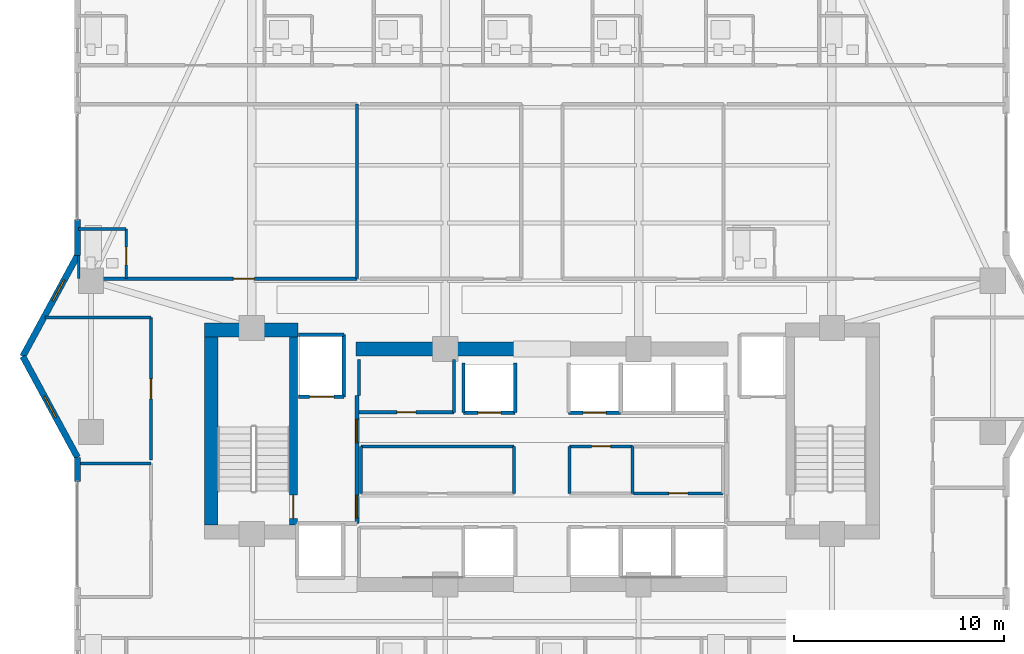
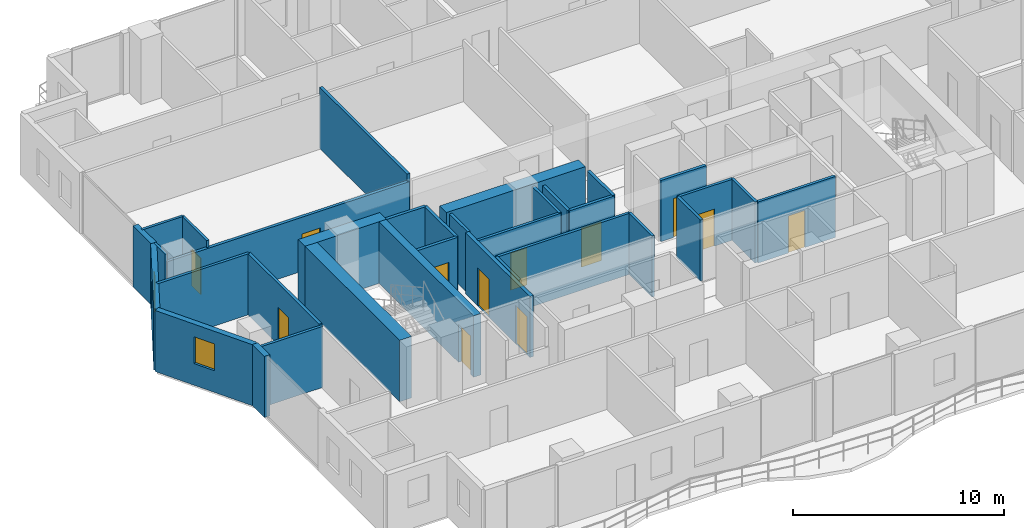
# One storey, part 25 of 33: 34 walls, 12 doors, 2 windows, 14 openings.
"""IFC4 building model written with IfcOpenShell, lengths in metres."""

from ifc_helpers import new_model, si_unit, direction, frame, frame_2d, origin, place, context, subcontext, project, spatial, rectangle, extrude, material, layer, layer_set, type_object, element, fill, save


model = new_model("IFC4")

# Units and contexts
model_context = context("Model", 3, precision=1e-05, world=origin(), true_north=direction((0.0, 1.0)))
body_context = subcontext(model_context, "Body", "Model", "MODEL_VIEW")
ifc_project = project(units=[si_unit("LENGTHUNIT", "METRE"), si_unit("AREAUNIT", "SQUARE_METRE"), si_unit("VOLUMEUNIT", "CUBIC_METRE"), si_unit("PLANEANGLEUNIT", "RADIAN"), si_unit("MASSUNIT", "GRAM", prefix="KILO")], contexts=[model_context])

# Site, building, storey
site_placement = place(None, origin())
site = spatial("IfcSite", under=ifc_project, at=site_placement, CompositionType="ELEMENT")
building_placement = place(site_placement, origin())
building = spatial("IfcBuilding", under=site, at=building_placement, Name="Zuhayl Quay Hotel", CompositionType="ELEMENT")
storey_placement = place(building_placement, frame((0.0, 0.0, 199.89990234375)))
storey = spatial("IfcBuildingStorey", under=building, at=storey_placement, Name="L50", CompositionType="ELEMENT", Elevation=199.89990234375)

# Walls
ifc_material_1 = material(Name="Concrete C50/60", Category="concrete")
ifc_layer_1 = layer(ifc_material_1, 0.64990234375, Name="Concrete C50/60", Category="concrete")
ifc_layer_set_1 = layer_set([ifc_layer_1], Name="Concrete C50/60")
wall_type_1 = type_object("IfcWallType", Name="WL_CORE_650", PredefinedType="SHEAR", material=ifc_layer_set_1)
wall_1_placement = place(storey_placement, frame((-16.06005859375, 14.2548828125, 0.0), z_axis=(0.0, 0.0, 1.0), x_axis=(1.0, 0.0, 0.0)))
element("IfcWall", 1, at=wall_1_placement, inside=storey, type_object=wall_type_1, Name="L50 Core Shear Wall CW_NW", PredefinedType="SHEAR", context=body_context, shape_type="SweptSolid", body=[
    extrude(rectangle(XDim=4.4599609375, YDim=0.64990234375, at=frame_2d((2.22998046875, 0.0))), origin(), (0.0, 0.0, 1.0), 3.56005859375),
])
wall_2_placement = place(storey_placement, frame((-15.735107421875, 4.969970703125, 0.0), z_axis=(0.0, 0.0, 1.0), x_axis=(0.0, 1.0, 0.0)))
element("IfcWall", 2, at=wall_2_placement, inside=storey, type_object=wall_type_1, Name="L50 Core Shear Wall CW_W", PredefinedType="SHEAR", context=body_context, shape_type="SweptSolid", body=[
    extrude(rectangle(XDim=8.9599609375, YDim=0.64990234375, at=frame_2d((4.47998046875, 0.0))), origin(), (0.0, 0.0, 1.0), 3.56005859375),
])
wall_3_placement = place(storey_placement, frame((-8.85009765625, 13.35009765625, 0.0), z_axis=(0.0, 0.0, 1.0), x_axis=(1.0, 0.0, 0.0)))
element("IfcWall", 3, at=wall_3_placement, inside=storey, type_object=wall_type_1, Name="L50 Core Shear Wall CW_NC_W", PredefinedType="SHEAR", context=body_context, shape_type="SweptSolid", body=[
    extrude(rectangle(XDim=7.60009765625, YDim=0.64990234375, at=frame_2d((3.800048828125, 0.0))), origin(), (0.0, 0.0, 1.0), 3.530029296875),
])
ifc_material_2 = material(Name="Precast concrete C45/55", Category="concrete")
ifc_layer_2 = layer(ifc_material_2, 0.300048828125, Name="Precast concrete C45/55", Category="concrete")
ifc_layer_set_2 = layer_set([ifc_layer_2], Name="Precast concrete C45/55")
wall_type_2 = type_object("IfcWallType", Name="WL_EXT_300", PredefinedType="STANDARD", material=ifc_layer_set_2)
wall_4_placement = place(storey_placement, frame((-22.10009765625, 7.050048828125, 0.0), z_axis=(0.0, 0.0, 1.0), x_axis=(0.0, 1.0, 0.0)))
element("IfcWall", 4, at=wall_4_placement, inside=storey, type_object=wall_type_2, Name="L50 Exterior Precast Wall ENV_L50_E02_EW2", PredefinedType="STANDARD", context=body_context, shape_type="SweptSolid", body=[
    extrude(rectangle(XDim=1.14990234375, YDim=0.300048828125, at=frame_2d((0.574951171875, 0.0))), origin(), (0.0, 0.0, 1.0), 3.530029296875),
])

# Wall, opening, window
wall_5_placement = place(storey_placement, frame((-22.10009765625, 8.199951171875, 0.0), z_axis=(0.0, 0.0, 1.0), x_axis=(-0.476258655584, 0.879305233114, 0.0)))
wall_5 = element("IfcWall", 5, at=wall_5_placement, inside=storey, type_object=wall_type_2, Name="L50 Exterior Precast Wall ENV_L50_EW03", PredefinedType="STANDARD", context=body_context, shape_type="SweptSolid", body=[
    extrude(rectangle(XDim=5.458984375, YDim=0.300048828125, at=frame_2d((2.7294921875, 0.0))), origin(), (0.0, 0.0, 1.0), 3.530029296875),
])
opening_1_placement = place(wall_5_placement, frame((2.154541015625, 0.0, 1.25)))
opening_1 = element("IfcOpeningElement", 6, at=opening_1_placement, cuts=wall_5, Name="Opening W01N", PredefinedType="OPENING", context=body_context, shape_type="SweptSolid", body=[
    extrude(rectangle(XDim=1.14990234375, YDim=1.550048828125, at=frame_2d((0.574951171875, 0.77490234375))), frame((0.0, 0.159912109375, 0.0), z_axis=(0.0, -1.0, 0.0), x_axis=(1.0, 0.0, 0.0)), (0.0, 0.0, 1.0), 0.320068359375),
])
ifc_material_3 = material(Name="Dark Ceramic-Fritted Solar Glass", Category="glass")
window_type = type_object("IfcWindowType", Name="WN_NOTCH_1350", PartitioningType="SINGLE_PANEL", PredefinedType="WINDOW", material=ifc_material_3)
window_1_placement = place(opening_1_placement, origin())
window_1 = element("IfcWindow", 7, at=window_1_placement, inside=storey, type_object=window_type, Name="L50 Corner Notch Window 3", OverallHeight=1.550048828125, OverallWidth=1.14990234375, PartitioningType="SINGLE_PANEL", PredefinedType="WINDOW", context=body_context, shape_type="SweptSolid", body=[
    extrude(rectangle(XDim=1.14990234375, YDim=1.550048828125, at=frame_2d((0.574951171875, 0.77490234375))), frame((0.0, 0.030029296875, 0.0), z_axis=(0.0, -1.0, 0.0), x_axis=(1.0, 0.0, 0.0)), (0.0, 0.0, 1.0), 0.06005859375),
])
fill(opening_1, window_1)

wall_6_placement = place(storey_placement, frame((-24.699951171875, 13.0, 0.0), z_axis=(0.0, 0.0, 1.0), x_axis=(0.476258655584, 0.879305233114, 0.0)))
wall_6 = element("IfcWall", 8, at=wall_6_placement, inside=storey, type_object=wall_type_2, Name="L50 Exterior Precast Wall ENV_L50_EW04", PredefinedType="STANDARD", context=body_context, shape_type="SweptSolid", body=[
    extrude(rectangle(XDim=5.458984375, YDim=0.300048828125, at=frame_2d((2.7294921875, 0.0))), origin(), (0.0, 0.0, 1.0), 3.530029296875),
])
opening_2_placement = place(wall_6_placement, frame((2.9931640625, 0.0, 1.25)))
opening_2 = element("IfcOpeningElement", 9, at=opening_2_placement, cuts=wall_6, Name="Opening W01N", PredefinedType="OPENING", context=body_context, shape_type="SweptSolid", body=[
    extrude(rectangle(XDim=1.14990234375, YDim=1.550048828125, at=frame_2d((0.574951171875, 0.77490234375))), frame((0.0, 0.159912109375, 0.0), z_axis=(0.0, -1.0, 0.0), x_axis=(1.0, 0.0, 0.0)), (0.0, 0.0, 1.0), 0.320068359375),
])
window_2_placement = place(opening_2_placement, origin())
window_2 = element("IfcWindow", 10, at=window_2_placement, inside=storey, type_object=window_type, Name="L50 Corner Notch Window 4", OverallHeight=1.550048828125, OverallWidth=1.14990234375, PartitioningType="SINGLE_PANEL", PredefinedType="WINDOW", context=body_context, shape_type="SweptSolid", body=[
    extrude(rectangle(XDim=1.14990234375, YDim=1.550048828125, at=frame_2d((0.574951171875, 0.77490234375))), frame((0.0, 0.030029296875, 0.0), z_axis=(0.0, -1.0, 0.0), x_axis=(1.0, 0.0, 0.0)), (0.0, 0.0, 1.0), 0.06005859375),
])
fill(opening_2, window_2)

# Wall
wall_7_placement = place(storey_placement, frame((-22.10009765625, 17.800048828125, 0.0), z_axis=(0.0, 0.0, 1.0), x_axis=(0.0, 1.0, 0.0)))
element("IfcWall", 11, at=wall_7_placement, inside=storey, type_object=wall_type_2, Name="L50 Exterior Precast Wall ENV_L50_E05_EW1", PredefinedType="STANDARD", context=body_context, shape_type="SweptSolid", body=[
    extrude(rectangle(XDim=1.7099609375, YDim=0.300048828125, at=frame_2d((0.85498046875, 0.0))), origin(), (0.0, 0.0, 1.0), 3.530029296875),
])

# Wall, opening, door
ifc_material_4 = material(Name="Acoustic Gypsum Partition STC-58")
ifc_layer_3 = layer(ifc_material_4, 0.14990234375, Name="Acoustic Gypsum Partition STC-58")
ifc_layer_set_3 = layer_set([ifc_layer_3], Name="Acoustic Gypsum Partition STC-58")
wall_type_3 = type_object("IfcWallType", Name="WL_PART_150", PredefinedType="PARTITIONING", material=ifc_layer_set_3)
wall_8_placement = place(storey_placement, frame((-8.7099609375, 10.340087890625, 0.0), z_axis=(0.0, 0.0, 1.0), x_axis=(1.0, 0.0, 0.0)))
wall_8 = element("IfcWall", 12, at=wall_8_placement, inside=storey, type_object=wall_type_3, Name="L50 Partition IW_L50_FLP_N_S", PredefinedType="PARTITIONING", context=body_context, shape_type="SweptSolid", body=[
    extrude(rectangle(XDim=4.52001953125, YDim=0.14990234375, at=frame_2d((2.260009765625, 0.0))), origin(), (0.0, 0.0, 1.0), 3.530029296875),
])
opening_3_placement = place(wall_8_placement, frame((1.81005859375, 0.0, 0.0)))
opening_3 = element("IfcOpeningElement", 13, at=opening_3_placement, cuts=wall_8, Name="Opening D06", PredefinedType="OPENING", context=body_context, shape_type="SweptSolid", body=[
    extrude(rectangle(XDim=0.89990234375, YDim=2.14990234375, at=frame_2d((0.449951171875, 1.074951171875))), frame((0.0, 0.0849609375, 0.0), z_axis=(0.0, -1.0, 0.0), x_axis=(1.0, 0.0, 0.0)), (0.0, 0.0, 1.0), 0.169921875),
])
ifc_material_5 = material(Name="Steel ASTM A992 Grade 50", Category="steel")
door_type_1 = type_object("IfcDoorType", Name="DR_INT_900", OperationType="NOTDEFINED", PredefinedType="DOOR", material=ifc_material_5)
door_1_placement = place(opening_3_placement, origin())
door_1 = element("IfcDoor", 14, at=door_1_placement, inside=storey, type_object=door_type_1, Name="L50 Linen Store West Door", OperationType="SINGLE_SWING_LEFT", OverallHeight=2.14990234375, OverallWidth=0.89990234375, PredefinedType="DOOR", context=body_context, shape_type="SweptSolid", body=[
    extrude(rectangle(XDim=0.89990234375, YDim=2.14990234375, at=frame_2d((0.449951171875, 1.074951171875))), frame((0.0, 0.02490234375, 0.0), z_axis=(0.0, -1.0, 0.0), x_axis=(1.0, 0.0, 0.0)), (0.0, 0.0, 1.0), 0.050048828125),
])
fill(opening_3, door_1)

wall_9_placement = place(storey_placement, frame((1.320068359375, 8.719970703125, 0.0), z_axis=(0.0, 0.0, 1.0), x_axis=(1.0, 0.0, 0.0)))
wall_9 = element("IfcWall", 15, at=wall_9_placement, inside=storey, type_object=wall_type_3, Name="L50 Partition IW_L50_CORE_IT_N", PredefinedType="PARTITIONING", context=body_context, shape_type="SweptSolid", body=[
    extrude(rectangle(XDim=2.989990234375, YDim=0.14990234375, at=frame_2d((1.4951171875, 0.0))), origin(), (0.0, 0.0, 1.0), 3.530029296875),
])
opening_4_placement = place(wall_9_placement, frame((1.044921875, 0.0, 0.0)))
opening_4 = element("IfcOpeningElement", 16, at=opening_4_placement, cuts=wall_9, Name="Opening D06", PredefinedType="OPENING", context=body_context, shape_type="SweptSolid", body=[
    extrude(rectangle(XDim=0.89990234375, YDim=2.14990234375, at=frame_2d((0.449951171875, 1.074951171875))), frame((0.0, 0.0849609375, 0.0), z_axis=(0.0, -1.0, 0.0), x_axis=(1.0, 0.0, 0.0)), (0.0, 0.0, 1.0), 0.169921875),
])
door_2_placement = place(opening_4_placement, origin())
door_2 = element("IfcDoor", 17, at=door_2_placement, inside=storey, type_object=door_type_1, Name="L50 Telecom Closet Door", OperationType="SINGLE_SWING_LEFT", OverallHeight=2.14990234375, OverallWidth=0.89990234375, PredefinedType="DOOR", context=body_context, shape_type="SweptSolid", body=[
    extrude(rectangle(XDim=0.89990234375, YDim=2.14990234375, at=frame_2d((0.449951171875, 1.074951171875))), frame((0.0, 0.02490234375, 0.0), z_axis=(0.0, -1.0, 0.0), x_axis=(1.0, 0.0, 0.0)), (0.0, 0.0, 1.0), 0.050048828125),
])
fill(opening_4, door_2)

wall_10_placement = place(storey_placement, frame((4.3701171875, 6.47998046875, 0.0), z_axis=(0.0, 0.0, 1.0), x_axis=(1.0, 0.0, 0.0)))
wall_10 = element("IfcWall", 18, at=wall_10_placement, inside=storey, type_object=wall_type_3, Name="L50 Partition IW_L50_CORE_LN_S", PredefinedType="PARTITIONING", context=body_context, shape_type="SweptSolid", body=[
    extrude(rectangle(XDim=4.239990234375, YDim=0.14990234375, at=frame_2d((2.1201171875, 0.0))), origin(), (0.0, 0.0, 1.0), 3.530029296875),
])
opening_5_placement = place(wall_10_placement, frame((1.669921875, 0.0, 0.0)))
opening_5 = element("IfcOpeningElement", 19, at=opening_5_placement, cuts=wall_10, Name="Opening D06", PredefinedType="OPENING", context=body_context, shape_type="SweptSolid", body=[
    extrude(rectangle(XDim=0.89990234375, YDim=2.14990234375, at=frame_2d((0.449951171875, 1.074951171875))), frame((0.0, 0.0849609375, 0.0), z_axis=(0.0, -1.0, 0.0), x_axis=(1.0, 0.0, 0.0)), (0.0, 0.0, 1.0), 0.169921875),
])
door_3_placement = place(opening_5_placement, origin())
door_3 = element("IfcDoor", 20, at=door_3_placement, inside=storey, type_object=door_type_1, Name="L50 Core Linen Store Door", OperationType="SINGLE_SWING_RIGHT", OverallHeight=2.14990234375, OverallWidth=0.89990234375, PredefinedType="DOOR", context=body_context, shape_type="SweptSolid", body=[
    extrude(rectangle(XDim=0.89990234375, YDim=2.14990234375, at=frame_2d((0.449951171875, 1.074951171875))), frame((0.0, 0.02490234375, 0.0), z_axis=(0.0, -1.0, 0.0), x_axis=(1.0, 0.0, 0.0)), (0.0, 0.0, 1.0), 0.050048828125),
])
fill(opening_5, door_3)

# Walls
wall_11_placement = place(storey_placement, frame((-8.7099609375, 11.14990234375, 0.0), z_axis=(0.0, 0.0, 1.0), x_axis=(0.0, 1.0, 0.0)))
element("IfcWall", 21, at=wall_11_placement, inside=storey, type_object=wall_type_3, Name="L50 Partition IW_L50_FLP_N_W", PredefinedType="PARTITIONING", context=body_context, shape_type="SweptSolid", body=[
    extrude(rectangle(XDim=1.710205078125, YDim=0.14990234375, at=frame_2d((0.85498046875, 0.0))), origin(), (0.0, 0.0, 1.0), 3.530029296875),
])
wall_12_placement = place(storey_placement, frame((-4.18994140625, 10.340087890625, 0.0), z_axis=(0.0, 0.0, 1.0), x_axis=(0.0, 1.0, 0.0)))
element("IfcWall", 22, at=wall_12_placement, inside=storey, type_object=wall_type_3, Name="L50 Partition IW_L50_FLP_N_E", PredefinedType="PARTITIONING", context=body_context, shape_type="SweptSolid", body=[
    extrude(rectangle(XDim=2.52001953125, YDim=0.14990234375, at=frame_2d((1.260009765625, 0.0))), origin(), (0.0, 0.0, 1.0), 3.530029296875),
])
wall_13_placement = place(storey_placement, frame((-8.610107421875, 8.719970703125, 0.0), z_axis=(0.0, 0.0, 1.0), x_axis=(1.0, 0.0, 0.0)))
element("IfcWall", 23, at=wall_13_placement, inside=storey, type_object=wall_type_3, Name="L50 Partition IW_L50_CORE_EL_N", PredefinedType="PARTITIONING", context=body_context, shape_type="SweptSolid", body=[
    extrude(rectangle(XDim=7.2900390625, YDim=0.14990234375, at=frame_2d((3.64501953125, 0.0))), origin(), (0.0, 0.0, 1.0), 3.530029296875),
])
for number, where, z_axis, x_axis, name in (
    (24, (-8.610107421875, 6.47998046875, 0.0), (0.0, 0.0, 1.0), (0.0, 1.0, 0.0), "L50 Partition IW_L50_CORE_EL_W"),
    (25, (-1.320068359375, 6.47998046875, 0.0), (0.0, 0.0, 1.0), (0.0, 1.0, 0.0), "L50 Partition IW_L50_CORE_EL_E"),
    (26, (1.320068359375, 6.47998046875, 0.0), (0.0, 0.0, 1.0), (0.0, 1.0, 0.0), "L50 Partition IW_L50_CORE_IT_W"),
    (27, (4.31005859375, 6.47998046875, 0.0), (0.0, 0.0, 1.0), (0.0, 1.0, 0.0), "L50 Partition IW_L50_CORE_IT_E"),
):
    element("IfcWall", number, at=place(storey_placement, frame(where, z_axis=z_axis, x_axis=x_axis)), inside=storey, type_object=wall_type_3, Name=name, PredefinedType="PARTITIONING", context=body_context, shape_type="SweptSolid", body=[
        extrude(rectangle(XDim=2.239990234375, YDim=0.14990234375, at=frame_2d((1.1201171875, 0.0))), origin(), (0.0, 0.0, 1.0), 3.530029296875),
    ])
wall_14_placement = place(storey_placement, frame((-8.800048828125, 16.699951171875, 0.0), z_axis=(0.0, 0.0, 1.0), x_axis=(0.0, 1.0, 0.0)))
element("IfcWall", 28, at=wall_14_placement, inside=storey, type_object=wall_type_3, Name="L50 Partition IW_L50_MU01_E", PredefinedType="PARTITIONING", context=body_context, shape_type="SweptSolid", body=[
    extrude(rectangle(XDim=8.300048828125, YDim=0.14990234375, at=frame_2d((4.14990234375, 0.0))), origin(), (0.0, 0.0, 1.0), 3.530029296875),
])
wall_15_placement = place(storey_placement, frame((-22.0400390625, 7.89990234375, 0.0), z_axis=(0.0, 0.0, 1.0), x_axis=(1.0, 0.0, 0.0)))
element("IfcWall", 29, at=wall_15_placement, inside=storey, type_object=wall_type_3, Name="L50 Partition IW_L50_WPROW_1_N", PredefinedType="PARTITIONING", context=body_context, shape_type="SweptSolid", body=[
    extrude(rectangle(XDim=3.43994140625, YDim=0.14990234375, at=frame_2d((1.719970703125, 0.0))), origin(), (0.0, 0.0, 1.0), 3.530029296875),
])
wall_16_placement = place(storey_placement, frame((-23.637939453125, 14.85009765625, 0.0), z_axis=(0.0, 0.0, 1.0), x_axis=(1.0, 0.0, 0.0)))
element("IfcWall", 30, at=wall_16_placement, inside=storey, type_object=wall_type_3, Name="L50 Partition IW_L50_WPROW_2_N", PredefinedType="PARTITIONING", context=body_context, shape_type="SweptSolid", body=[
    extrude(rectangle(XDim=5.037841796875, YDim=0.14990234375, at=frame_2d((2.51904296875, 0.0))), origin(), (0.0, 0.0, 1.0), 3.530029296875),
])

# Wall, opening, door
ifc_layer_4 = layer(ifc_material_4, 0.159912109375, Name="Acoustic Gypsum Partition STC-58")
ifc_layer_set_4 = layer_set([ifc_layer_4], Name="Acoustic Gypsum Partition STC-58")
wall_type_4 = type_object("IfcWallType", Name="WL_PART_CORR_160", PredefinedType="PARTITIONING", material=ifc_layer_set_4)
wall_17_placement = place(storey_placement, frame((-22.0400390625, 16.699951171875, 0.0), z_axis=(0.0, 0.0, 1.0), x_axis=(1.0, 0.0, 0.0)))
wall_17 = element("IfcWall", 31, at=wall_17_placement, inside=storey, type_object=wall_type_4, Name="L50 Partition IW_L50_MU01_COR", PredefinedType="PARTITIONING", context=body_context, shape_type="SweptSolid", body=[
    extrude(rectangle(XDim=13.239990234375, YDim=0.159912109375, at=frame_2d((6.6201171875, 0.0))), origin(), (0.0, 0.0, 1.0), 3.1240234375),
])
opening_6_placement = place(wall_17_placement, frame((7.364990234375, 0.0, 0.0)))
opening_6 = element("IfcOpeningElement", 32, at=opening_6_placement, cuts=wall_17, Name="Opening D03L", PredefinedType="OPENING", context=body_context, shape_type="SweptSolid", body=[
    extrude(rectangle(XDim=1.0, YDim=2.14990234375, at=frame_2d((0.5, 1.074951171875))), frame((0.0, 0.08984375, 0.0), z_axis=(0.0, -1.0, 0.0), x_axis=(1.0, 0.0, 0.0)), (0.0, 0.0, 1.0), 0.179931640625),
])
ifc_material_6 = material(Name="Solid Walnut Acoustic Fire Door")
door_type_2 = type_object("IfcDoorType", Name="DR_SUITE_1000", OperationType="NOTDEFINED", PredefinedType="DOOR", material=ifc_material_6)
door_4_placement = place(opening_6_placement, origin())
door_4 = element("IfcDoor", 33, at=door_4_placement, inside=storey, type_object=door_type_2, Name="L50 Club Junior Suite L50-M1 Entrance Door", OperationType="SINGLE_SWING_RIGHT", OverallHeight=2.14990234375, OverallWidth=1.0, PredefinedType="DOOR", context=body_context, shape_type="SweptSolid", body=[
    extrude(rectangle(XDim=1.0, YDim=2.14990234375, at=frame_2d((0.5, 1.074951171875))), frame((0.0, 0.02490234375, 0.0), z_axis=(0.0, -1.0, 0.0), x_axis=(1.0, 0.0, 0.0)), (0.0, 0.0, 1.0), 0.050048828125),
])
fill(opening_6, door_4)

wall_18_placement = place(storey_placement, frame((-18.60009765625, 8.06005859375, 0.0), z_axis=(0.0, 0.0, 1.0), x_axis=(0.0, 1.0, 0.0)))
wall_18 = element("IfcWall", 34, at=wall_18_placement, inside=storey, type_object=wall_type_4, Name="L50 Partition IW_L50_WPROW_2_E", PredefinedType="PARTITIONING", context=body_context, shape_type="SweptSolid", body=[
    extrude(rectangle(XDim=6.7900390625, YDim=0.159912109375, at=frame_2d((3.39501953125, 0.0))), origin(), (0.0, 0.0, 1.0), 3.530029296875),
])
opening_7_placement = place(wall_18_placement, frame((2.919921875, 0.0, 0.0)))
opening_7 = element("IfcOpeningElement", 35, at=opening_7_placement, cuts=wall_18, Name="Opening D03", PredefinedType="OPENING", context=body_context, shape_type="SweptSolid", body=[
    extrude(rectangle(XDim=0.949951171875, YDim=2.14990234375, at=frame_2d((0.47509765625, 1.074951171875))), frame((0.0, 0.08984375, 0.0), z_axis=(0.0, -1.0, 0.0), x_axis=(1.0, 0.0, 0.0)), (0.0, 0.0, 1.0), 0.179931640625),
])
door_type_3 = type_object("IfcDoorType", Name="DR_SUITE_950", OperationType="NOTDEFINED", PredefinedType="DOOR", material=ifc_material_6)
door_5_placement = place(opening_7_placement, origin())
door_5 = element("IfcDoor", 36, at=door_5_placement, inside=storey, type_object=door_type_3, Name="L50 Sunset Lounge L50 Door", OperationType="SINGLE_SWING_LEFT", OverallHeight=2.14990234375, OverallWidth=0.949951171875, PredefinedType="DOOR", context=body_context, shape_type="SweptSolid", body=[
    extrude(rectangle(XDim=0.949951171875, YDim=2.14990234375, at=frame_2d((0.47509765625, 1.074951171875))), frame((0.0, 0.02490234375, 0.0), z_axis=(0.0, -1.0, 0.0), x_axis=(1.0, 0.0, 0.0)), (0.0, 0.0, 1.0), 0.050048828125),
])
fill(opening_7, door_5)

ifc_material_7 = material(Name="Moisture-Resistant Sanitarychase Gypsum")
ifc_layer_5 = layer(ifc_material_7, 0.135009765625, Name="Moisture-Resistant Sanitarychase Gypsum")
ifc_layer_set_5 = layer_set([ifc_layer_5], Name="Moisture-Resistant Sanitarychase Gypsum")
wall_type_5 = type_object("IfcWallType", Name="WL_PART_PLUMB_150", PredefinedType="PLUMBINGWALL", material=ifc_layer_set_5)
wall_19_placement = place(storey_placement, frame((-19.780029296875, 16.699951171875, 0.0), z_axis=(0.0, 0.0, 1.0), x_axis=(0.0, 1.0, 0.0)))
wall_19 = element("IfcWall", 37, at=wall_19_placement, inside=storey, type_object=wall_type_5, Name="L50 Partition IW_L50_MU01_BE", PredefinedType="PLUMBINGWALL", context=body_context, shape_type="SweptSolid", body=[
    extrude(rectangle(XDim=2.360107421875, YDim=0.135009765625, at=frame_2d((1.18017578125, 0.0))), origin(), (0.0, 0.0, 1.0), 3.530029296875),
])
opening_8_placement = place(wall_19_placement, frame((0.64990234375, 0.0, 0.0)))
opening_8 = element("IfcOpeningElement", 38, at=opening_8_placement, cuts=wall_19, Name="Opening D04", PredefinedType="OPENING", context=body_context, shape_type="SweptSolid", body=[
    extrude(rectangle(XDim=0.85009765625, YDim=2.10009765625, at=frame_2d((0.425048828125, 1.050048828125))), frame((0.0, 0.077392578125, 0.0), z_axis=(0.0, -1.0, 0.0), x_axis=(1.0, 0.0, 0.0)), (0.0, 0.0, 1.0), 0.155029296875),
])
ifc_material_8 = material(Name="Moisture-Resistant Walnut Veneer")
door_type_4 = type_object("IfcDoorType", Name="DR_BATH_850", OperationType="NOTDEFINED", PredefinedType="DOOR", material=ifc_material_8)
door_6_placement = place(opening_8_placement, origin())
door_6 = element("IfcDoor", 39, at=door_6_placement, inside=storey, type_object=door_type_4, Name="L50 Club Junior Suite L50-M1 En-Suite Door", OperationType="SINGLE_SWING_LEFT", OverallHeight=2.10009765625, OverallWidth=0.85009765625, PredefinedType="DOOR", context=body_context, shape_type="SweptSolid", body=[
    extrude(rectangle(XDim=0.85009765625, YDim=2.10009765625, at=frame_2d((0.425048828125, 1.050048828125))), frame((0.0, 0.02490234375, 0.0), z_axis=(0.0, -1.0, 0.0), x_axis=(1.0, 0.0, 0.0)), (0.0, 0.0, 1.0), 0.050048828125),
])
fill(opening_8, door_6)

# Walls
wall_20_placement = place(storey_placement, frame((-22.0400390625, 19.06005859375, 0.0), z_axis=(0.0, 0.0, 1.0), x_axis=(1.0, 0.0, 0.0)))
element("IfcWall", 40, at=wall_20_placement, inside=storey, type_object=wall_type_5, Name="L50 Partition IW_L50_MU01_BN", PredefinedType="PLUMBINGWALL", context=body_context, shape_type="SweptSolid", body=[
    extrude(rectangle(XDim=2.260009765625, YDim=0.135009765625, at=frame_2d((1.1298828125, 0.0))), origin(), (0.0, 0.0, 1.0), 3.530029296875),
])
wall_21_placement = place(storey_placement, frame((-22.0400390625, 16.699951171875, 0.0), z_axis=(0.0, 0.0, 1.0), x_axis=(0.0, 1.0, 0.0)))
element("IfcWall", 41, at=wall_21_placement, inside=storey, type_object=wall_type_5, Name="L50 Partition IW_L50_MU01_BW", PredefinedType="PLUMBINGWALL", context=body_context, shape_type="SweptSolid", body=[
    extrude(rectangle(XDim=1.10009765625, YDim=0.135009765625, at=frame_2d((0.550048828125, 0.0))), origin(), (0.0, 0.0, 1.0), 3.530029296875),
])

# Wall, opening, door
ifc_material_9 = material(Name="Gypsum Fireboard Assembly EI-90")
ifc_layer_6 = layer(ifc_material_9, 0.1650390625, Name="Gypsum Fireboard Assembly EI-90")
ifc_layer_set_6 = layer_set([ifc_layer_6], Name="Gypsum Fireboard Assembly EI-90")
wall_type_6 = type_object("IfcWallType", Name="WL_PART_SHAFT_160", PredefinedType="PARTITIONING", material=ifc_layer_set_6)
wall_22_placement = place(storey_placement, frame((-11.580078125, 11.070068359375, 0.0), z_axis=(0.0, 0.0, 1.0), x_axis=(1.0, 0.0, 0.0)))
wall_22 = element("IfcWall", 42, at=wall_22_placement, inside=storey, type_object=wall_type_6, Name="L50 Partition IW_L50_SH_FL1_F", PredefinedType="PARTITIONING", context=body_context, shape_type="SweptSolid", body=[
    extrude(rectangle(XDim=2.16015625, YDim=0.1650390625, at=frame_2d((1.080078125, 0.0))), origin(), (0.0, 0.0, 1.0), 3.530029296875),
])
opening_9_placement = place(wall_22_placement, frame((0.530029296875, 0.0, 0.0)))
opening_9 = element("IfcOpeningElement", 43, at=opening_9_placement, cuts=wall_22, Name="Opening LD2", PredefinedType="OPENING", context=body_context, shape_type="SweptSolid", body=[
    extrude(rectangle(XDim=1.14990234375, YDim=2.25, at=frame_2d((0.574951171875, 1.125))), frame((0.0, 0.092529296875, 0.0), z_axis=(0.0, -1.0, 0.0), x_axis=(1.0, 0.0, 0.0)), (0.0, 0.0, 1.0), 0.18505859375),
])
ifc_material_10 = material(Name="Brushed Stainless Steel", Category="steel")
door_type_5 = type_object("IfcDoorType", Name="DR_LIFT_FF_1100", OperationType="SLIDING_TO_LEFT", PredefinedType="DOOR", material=ifc_material_10)
door_7_placement = place(opening_9_placement, origin())
door_7 = element("IfcDoor", 44, at=door_7_placement, inside=storey, type_object=door_type_5, Name="L50 Lift FL1 Sliding Landing Door", OperationType="SLIDING_TO_LEFT", OverallHeight=2.25, OverallWidth=1.14990234375, PredefinedType="DOOR", context=body_context, shape_type="SweptSolid", body=[
    extrude(rectangle(XDim=1.14990234375, YDim=2.25, at=frame_2d((0.574951171875, 1.125))), frame((0.0, 0.02490234375, 0.0), z_axis=(0.0, -1.0, 0.0), x_axis=(1.0, 0.0, 0.0)), (0.0, 0.0, 1.0), 0.050048828125),
])
fill(opening_9, door_7)

wall_23_placement = place(storey_placement, frame((-3.72998046875, 10.320068359375, 0.0), z_axis=(0.0, 0.0, 1.0), x_axis=(1.0, 0.0, 0.0)))
wall_23 = element("IfcWall", 45, at=wall_23_placement, inside=storey, type_object=wall_type_6, Name="L50 Partition IW_L50_SH_MP3_F", PredefinedType="PARTITIONING", context=body_context, shape_type="SweptSolid", body=[
    extrude(rectangle(XDim=2.4599609375, YDim=0.1650390625, at=frame_2d((1.22998046875, 0.0))), origin(), (0.0, 0.0, 1.0), 3.530029296875),
])
opening_10_placement = place(wall_23_placement, frame((0.679931640625, 0.0, 0.0)))
opening_10 = element("IfcOpeningElement", 46, at=opening_10_placement, cuts=wall_23, Name="Opening LD1", PredefinedType="OPENING", context=body_context, shape_type="SweptSolid", body=[
    extrude(rectangle(XDim=1.10009765625, YDim=2.25, at=frame_2d((0.550048828125, 1.125))), frame((0.0, 0.092529296875, 0.0), z_axis=(0.0, -1.0, 0.0), x_axis=(1.0, 0.0, 0.0)), (0.0, 0.0, 1.0), 0.18505859375),
])
door_type_6 = type_object("IfcDoorType", Name="DR_LIFT_PASS_1100", OperationType="SLIDING_TO_LEFT", PredefinedType="DOOR", material=ifc_material_10)
door_8_placement = place(opening_10_placement, origin())
door_8 = element("IfcDoor", 47, at=door_8_placement, inside=storey, type_object=door_type_6, Name="L50 Lift MP3 Sliding Landing Door", OperationType="SLIDING_TO_LEFT", OverallHeight=2.25, OverallWidth=1.10009765625, PredefinedType="DOOR", context=body_context, shape_type="SweptSolid", body=[
    extrude(rectangle(XDim=1.10009765625, YDim=2.25, at=frame_2d((0.550048828125, 1.125))), frame((0.0, 0.02490234375, 0.0), z_axis=(0.0, -1.0, 0.0), x_axis=(1.0, 0.0, 0.0)), (0.0, 0.0, 1.0), 0.050048828125),
])
fill(opening_10, door_8)

wall_24_placement = place(storey_placement, frame((1.27001953125, 10.320068359375, 0.0), z_axis=(0.0, 0.0, 1.0), x_axis=(1.0, 0.0, 0.0)))
wall_24 = element("IfcWall", 48, at=wall_24_placement, inside=storey, type_object=wall_type_6, Name="L50 Partition IW_L50_SH_MP4_F", PredefinedType="PARTITIONING", context=body_context, shape_type="SweptSolid", body=[
    extrude(rectangle(XDim=2.47998046875, YDim=0.1650390625, at=frame_2d((1.239990234375, 0.0))), origin(), (0.0, 0.0, 1.0), 3.530029296875),
])
opening_11_placement = place(wall_24_placement, frame((0.68994140625, 0.0, 0.0)))
opening_11 = element("IfcOpeningElement", 49, at=opening_11_placement, cuts=wall_24, Name="Opening LD1", PredefinedType="OPENING", context=body_context, shape_type="SweptSolid", body=[
    extrude(rectangle(XDim=1.10009765625, YDim=2.25, at=frame_2d((0.550048828125, 1.125))), frame((0.0, 0.092529296875, 0.0), z_axis=(0.0, -1.0, 0.0), x_axis=(1.0, 0.0, 0.0)), (0.0, 0.0, 1.0), 0.18505859375),
])
door_9_placement = place(opening_11_placement, origin())
door_9 = element("IfcDoor", 50, at=door_9_placement, inside=storey, type_object=door_type_6, Name="L50 Lift MP4 Sliding Landing Door", OperationType="SLIDING_TO_LEFT", OverallHeight=2.25, OverallWidth=1.10009765625, PredefinedType="DOOR", context=body_context, shape_type="SweptSolid", body=[
    extrude(rectangle(XDim=1.10009765625, YDim=2.25, at=frame_2d((0.550048828125, 1.125))), frame((0.0, 0.02490234375, 0.0), z_axis=(0.0, -1.0, 0.0), x_axis=(1.0, 0.0, 0.0)), (0.0, 0.0, 1.0), 0.050048828125),
])
fill(opening_11, door_9)

# Walls
wall_25_placement = place(storey_placement, frame((-9.419921875, 11.070068359375, 0.0), z_axis=(0.0, 0.0, 1.0), x_axis=(0.0, 1.0, 0.0)))
element("IfcWall", 51, at=wall_25_placement, inside=storey, type_object=wall_type_6, Name="L50 Partition IW_L50_SH_FL1_E", PredefinedType="PARTITIONING", context=body_context, shape_type="SweptSolid", body=[
    extrude(rectangle(XDim=2.9599609375, YDim=0.1650390625, at=frame_2d((1.47998046875, 0.0))), origin(), (0.0, 0.0, 1.0), 3.530029296875),
])
wall_26_placement = place(storey_placement, frame((-11.580078125, 14.030029296875, 0.0), z_axis=(0.0, 0.0, 1.0), x_axis=(1.0, 0.0, 0.0)))
element("IfcWall", 52, at=wall_26_placement, inside=storey, type_object=wall_type_6, Name="L50 Partition IW_L50_SH_FL1_B", PredefinedType="PARTITIONING", context=body_context, shape_type="SweptSolid", body=[
    extrude(rectangle(XDim=2.16015625, YDim=0.1650390625, at=frame_2d((1.080078125, 0.0))), origin(), (0.0, 0.0, 1.0), 3.530029296875),
])
for number, where, z_axis, x_axis, name in (
    (53, (-3.72998046875, 10.320068359375, 0.0), (0.0, 0.0, 1.0), (0.0, 1.0, 0.0), "L50 Partition IW_L50_SH_MP3_W"),
    (54, (-1.27001953125, 10.320068359375, 0.0), (0.0, 0.0, 1.0), (0.0, 1.0, 0.0), "L50 Partition IW_L50_SH_MP3_E"),
):
    element("IfcWall", number, at=place(storey_placement, frame(where, z_axis=z_axis, x_axis=x_axis)), inside=storey, type_object=wall_type_6, Name=name, PredefinedType="PARTITIONING", context=body_context, shape_type="SweptSolid", body=[
        extrude(rectangle(XDim=2.35986328125, YDim=0.1650390625, at=frame_2d((1.179931640625, 0.0))), origin(), (0.0, 0.0, 1.0), 3.530029296875),
    ])

# Wall, openings, doors
ifc_material_11 = material(Name="Gypsum Fireboard Assembly EI-120")
ifc_layer_7 = layer(ifc_material_11, 0.199951171875, Name="Gypsum Fireboard Assembly EI-120")
ifc_layer_set_7 = layer_set([ifc_layer_7], Name="Gypsum Fireboard Assembly EI-120")
wall_type_7 = type_object("IfcWallType", Name="WL_PART_SHAFT_200", PredefinedType="PARTITIONING", material=ifc_layer_set_7)
wall_27_placement = place(storey_placement, frame((-8.800048828125, 5.050048828125, 0.0), z_axis=(0.0, 0.0, 1.0), x_axis=(0.0, 1.0, 0.0)))
wall_27 = element("IfcWall", 55, at=wall_27_placement, inside=storey, type_object=wall_type_7, Name="L50 Partition IW_L50_FSAE_W_E", PredefinedType="PARTITIONING", context=body_context, shape_type="SweptSolid", body=[
    extrude(rectangle(XDim=6.099853515625, YDim=0.199951171875, at=frame_2d((3.0498046875, 0.0))), origin(), (0.0, 0.0, 1.0), 3.530029296875),
])
opening_12_placement = place(wall_27_placement, frame((0.25, 0.0, 0.0)))
opening_12 = element("IfcOpeningElement", 56, at=opening_12_placement, cuts=wall_27, Name="Opening D02", PredefinedType="OPENING", context=body_context, shape_type="SweptSolid", body=[
    extrude(rectangle(XDim=1.10009765625, YDim=2.199951171875, at=frame_2d((0.550048828125, 1.10009765625))), frame((0.0, 0.10986328125, 0.0), z_axis=(0.0, -1.0, 0.0), x_axis=(1.0, 0.0, 0.0)), (0.0, 0.0, 1.0), 0.219970703125),
])
opening_13_placement = place(wall_27_placement, frame((3.85009765625, 0.0, 0.0)))
opening_13 = element("IfcOpeningElement", 57, at=opening_13_placement, cuts=wall_27, Name="Opening D02", PredefinedType="OPENING", context=body_context, shape_type="SweptSolid", body=[
    extrude(rectangle(XDim=1.10009765625, YDim=2.199951171875, at=frame_2d((0.550048828125, 1.10009765625))), frame((0.0, 0.10986328125, 0.0), z_axis=(0.0, -1.0, 0.0), x_axis=(1.0, 0.0, 0.0)), (0.0, 0.0, 1.0), 0.219970703125),
])
door_type_7 = type_object("IfcDoorType", Name="DR_FIRE_90_1100", OperationType="NOTDEFINED", PredefinedType="DOOR", material=ifc_material_5)
door_10_placement = place(opening_12_placement, origin())
door_10 = element("IfcDoor", 58, at=door_10_placement, inside=storey, type_object=door_type_7, Name="L50 FSAE Lobby West South Entry Door", OperationType="SINGLE_SWING_RIGHT", OverallHeight=2.199951171875, OverallWidth=1.10009765625, PredefinedType="DOOR", context=body_context, shape_type="SweptSolid", body=[
    extrude(rectangle(XDim=1.10009765625, YDim=2.199951171875, at=frame_2d((0.550048828125, 1.10009765625))), frame((0.0, 0.02490234375, 0.0), z_axis=(0.0, -1.0, 0.0), x_axis=(1.0, 0.0, 0.0)), (0.0, 0.0, 1.0), 0.050048828125),
])
fill(opening_12, door_10)
door_11_placement = place(opening_13_placement, origin())
door_11 = element("IfcDoor", 59, at=door_11_placement, inside=storey, type_object=door_type_7, Name="L50 FSAE Lobby West North Entry Door", OperationType="SINGLE_SWING_LEFT", OverallHeight=2.199951171875, OverallWidth=1.10009765625, PredefinedType="DOOR", context=body_context, shape_type="SweptSolid", body=[
    extrude(rectangle(XDim=1.10009765625, YDim=2.199951171875, at=frame_2d((0.550048828125, 1.10009765625))), frame((0.0, 0.02490234375, 0.0), z_axis=(0.0, -1.0, 0.0), x_axis=(1.0, 0.0, 0.0)), (0.0, 0.0, 1.0), 0.050048828125),
])
fill(opening_13, door_11)

# Wall, opening, door
ifc_material_12 = material(Name="Concrete C60/75", Category="concrete")
ifc_layer_8 = layer(ifc_material_12, 0.39990234375, Name="Concrete C60/75", Category="concrete")
ifc_layer_set_8 = layer_set([ifc_layer_8], Name="Concrete C60/75")
wall_type_8 = type_object("IfcWallType", Name="WL_STAIR_400", PredefinedType="SHEAR", material=ifc_layer_set_8)
wall_28_placement = place(storey_placement, frame((-11.820068359375, 4.969970703125, 0.0), z_axis=(0.0, 0.0, 1.0), x_axis=(0.0, 1.0, 0.0)))
wall_28 = element("IfcWall", 60, at=wall_28_placement, inside=storey, type_object=wall_type_8, Name="L50 Core Shear Wall SW_ST1", PredefinedType="SHEAR", context=body_context, shape_type="SweptSolid", body=[
    extrude(rectangle(XDim=8.9599609375, YDim=0.39990234375, at=frame_2d((4.47998046875, 0.0))), origin(), (0.0, 0.0, 1.0), 3.56005859375),
])
opening_14_placement = place(wall_28_placement, frame((0.31005859375, 0.0, 0.0)))
opening_14 = element("IfcOpeningElement", 61, at=opening_14_placement, cuts=wall_28, Name="Opening D01", PredefinedType="OPENING", context=body_context, shape_type="SweptSolid", body=[
    extrude(rectangle(XDim=1.1201171875, YDim=2.219970703125, at=frame_2d((0.56005859375, 1.10986328125))), frame((0.0, 0.2099609375, 0.0), z_axis=(0.0, -1.0, 0.0), x_axis=(1.0, 0.0, 0.0)), (0.0, 0.0, 1.0), 0.419921875),
])
door_type_8 = type_object("IfcDoorType", Name="DR_STAIR_90_1100", OperationType="NOTDEFINED", PredefinedType="DOOR", material=ifc_material_5)
door_12_placement = place(opening_14_placement, origin())
door_12 = element("IfcDoor", 62, at=door_12_placement, inside=storey, type_object=door_type_8, Name="L50 Smokeproof Exit Stair ST1 Door", OperationType="SINGLE_SWING_LEFT", OverallHeight=2.219970703125, OverallWidth=1.1201171875, PredefinedType="DOOR", context=body_context, shape_type="SweptSolid", body=[
    extrude(rectangle(XDim=1.1201171875, YDim=2.219970703125, at=frame_2d((0.56005859375, 1.10986328125))), frame((0.0, 0.02490234375, 0.0), z_axis=(0.0, -1.0, 0.0), x_axis=(1.0, 0.0, 0.0)), (0.0, 0.0, 1.0), 0.050048828125),
])
fill(opening_14, door_12)

save(model, "model.ifc")
